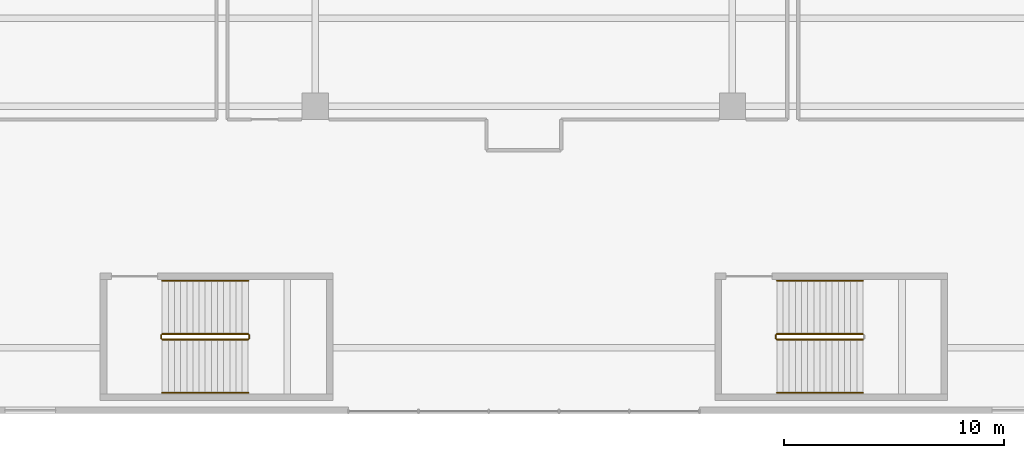
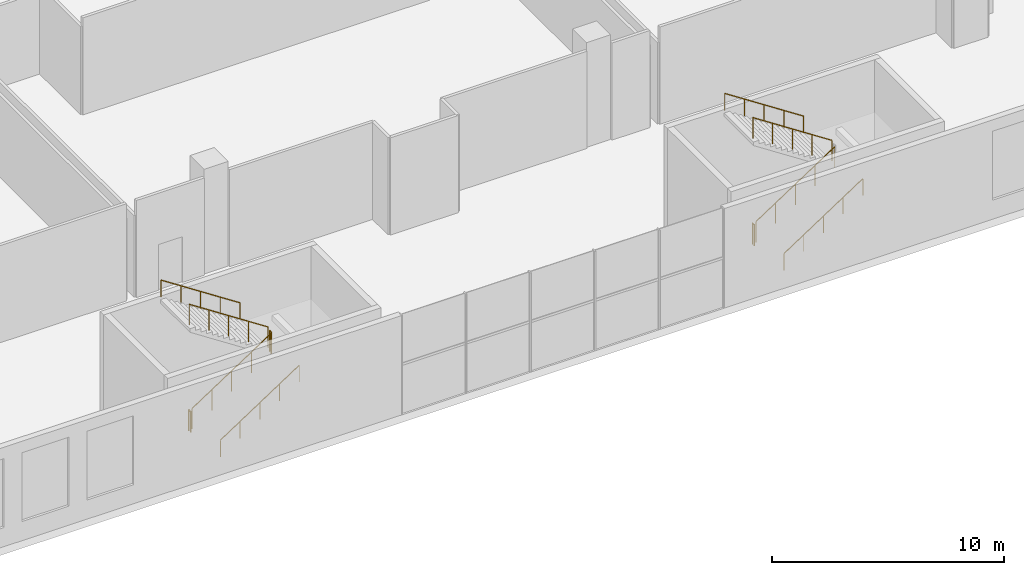
# One storey, part 19 of 26: 11 railings.
"""IFC4 building model written with IfcOpenShell, lengths in metres."""

from ifc_helpers import new_model, si_unit, direction, frame, origin, origin_2d, place, context, subcontext, project, spatial, circle, extrude, material, type_object, element, save


model = new_model("IFC4")

# Units and contexts
model_context = context("Model", 3, precision=1e-05, world=origin(), true_north=direction((0.0, 1.0)))
body_context = subcontext(model_context, "Body", "Model", "MODEL_VIEW")
ifc_project = project(units=[si_unit("LENGTHUNIT", "METRE"), si_unit("AREAUNIT", "SQUARE_METRE"), si_unit("VOLUMEUNIT", "CUBIC_METRE"), si_unit("PLANEANGLEUNIT", "RADIAN"), si_unit("MASSUNIT", "GRAM", prefix="KILO")], contexts=[model_context])

# Site, building, storey
site_placement = place(None, origin())
site = spatial("IfcSite", under=ifc_project, at=site_placement, CompositionType="ELEMENT")
building_placement = place(site_placement, origin())
building = spatial("IfcBuilding", under=site, at=building_placement, Name="Tel Ilan Convention Tower", CompositionType="ELEMENT")
storey_placement = place(building_placement, frame((0.0, 0.0, 37.5)))
storey = spatial("IfcBuildingStorey", under=building, at=storey_placement, Name="L05", CompositionType="ELEMENT", Elevation=37.5)

# Railings
ifc_material_1 = material(Name="Stainless Steel Grade 316", Category="steel")
railing_type_1 = type_object("IfcRailingType", Name="Stainless Steel Stair Guard 1100 mm", PredefinedType="GUARDRAIL", material=ifc_material_1)
railing_1_placement = place(storey_placement, frame((-16.47509765625, -78.625, 0.183349609375)))
element("IfcRailing", 1, at=railing_1_placement, inside=storey, type_object=railing_type_1, Name="L05 P2 stair guard 1", PredefinedType="GUARDRAIL", context=body_context, shape_type="SweptSolid", body=[
    extrude(circle(Radius=0.02392578125, at=origin_2d()), frame((0.0, 0.0, 1.076171875), z_axis=(0.836630751959, 0.0, 0.54776727255), x_axis=(0.0, 1.0, 0.0)), (0.0, 0.0, 1.0), 4.685546875),
    extrude(circle(Radius=0.02099609375, at=origin_2d()), origin(), (0.0, 0.0, 1.0), 1.052001953125),
    extrude(circle(Radius=0.02099609375, at=origin_2d()), frame((0.97998046875, 0.0, 0.6416015625)), (0.0, 0.0, 1.0), 1.052001953125),
    extrude(circle(Radius=0.02099609375, at=origin_2d()), frame((1.9599609375, 0.0, 1.283203125)), (0.0, 0.0, 1.0), 1.052001953125),
    extrude(circle(Radius=0.02099609375, at=origin_2d()), frame((2.940185546875, 0.0, 1.925048828125)), (0.0, 0.0, 1.0), 1.052001953125),
    extrude(circle(Radius=0.02099609375, at=origin_2d()), frame((3.920166015625, 0.0, 2.566650390625)), (0.0, 0.0, 1.0), 1.052001953125),
])
railing_2_placement = place(storey_placement, frame((-12.5048828125, -78.574951171875, 2.75)))
element("IfcRailing", 2, at=railing_2_placement, inside=storey, type_object=railing_type_1, Name="L05 P2 stair guard 2", PredefinedType="GUARDRAIL", context=body_context, shape_type="SweptSolid", body=[
    extrude(circle(Radius=0.02392578125, at=origin_2d()), frame((0.0, 0.0, 1.076171875), z_axis=(0.0, 1.0, 0.0), x_axis=(-1.0, 0.0, 0.0)), (0.0, 0.0, 1.0), 0.14990234375),
    extrude(circle(Radius=0.02099609375, at=origin_2d()), origin(), (0.0, 0.0, 1.0), 1.052001953125),
    extrude(circle(Radius=0.02099609375, at=origin_2d()), frame((0.0, 0.14990234375, 0.0)), (0.0, 0.0, 1.0), 1.052001953125),
])
railing_3_placement = place(storey_placement, frame((-12.554931640625, -78.375, 2.933349609375)))
element("IfcRailing", 3, at=railing_3_placement, inside=storey, type_object=railing_type_1, Name="L05 P2 stair guard 3", PredefinedType="GUARDRAIL", context=body_context, shape_type="SweptSolid", body=[
    extrude(circle(Radius=0.02392578125, at=origin_2d()), frame((0.0, 0.0, 1.076171875), z_axis=(-0.836630751959, 0.0, 0.54776727255), x_axis=(0.0, -1.0, 0.0)), (0.0, 0.0, 1.0), 4.685546875),
    extrude(circle(Radius=0.02099609375, at=origin_2d()), origin(), (0.0, 0.0, 1.0), 1.052001953125),
    extrude(circle(Radius=0.02099609375, at=origin_2d()), frame((-0.97998046875, 0.0, 0.6416015625)), (0.0, 0.0, 1.0), 1.052001953125),
    extrude(circle(Radius=0.02099609375, at=origin_2d()), frame((-1.9599609375, 0.0, 1.283203125)), (0.0, 0.0, 1.0), 1.052001953125),
    extrude(circle(Radius=0.02099609375, at=origin_2d()), frame((-2.940185546875, 0.0, 1.925048828125)), (0.0, 0.0, 1.0), 1.052001953125),
    extrude(circle(Radius=0.02099609375, at=origin_2d()), frame((-3.920166015625, 0.0, 2.566650390625)), (0.0, 0.0, 1.0), 1.052001953125),
])
railing_4_placement = place(storey_placement, frame((-16.52490234375, -78.574951171875, 0.0)))
element("IfcRailing", 4, at=railing_4_placement, inside=storey, type_object=railing_type_1, Name="L05 P2 stair guard 4", PredefinedType="GUARDRAIL", context=body_context, shape_type="SweptSolid", body=[
    extrude(circle(Radius=0.02392578125, at=origin_2d()), frame((0.0, 0.0, 1.076171875), z_axis=(0.0, 1.0, 0.0), x_axis=(-1.0, 0.0, 0.0)), (0.0, 0.0, 1.0), 0.14990234375),
    extrude(circle(Radius=0.02099609375, at=origin_2d()), origin(), (0.0, 0.0, 1.0), 1.052001953125),
    extrude(circle(Radius=0.02099609375, at=origin_2d()), frame((0.0, 0.14990234375, 0.0)), (0.0, 0.0, 1.0), 1.052001953125),
])
railing_5_placement = place(storey_placement, frame((11.52490234375, -78.625, 0.183349609375)))
element("IfcRailing", 5, at=railing_5_placement, inside=storey, type_object=railing_type_1, Name="L05 P3 stair guard 1", PredefinedType="GUARDRAIL", context=body_context, shape_type="SweptSolid", body=[
    extrude(circle(Radius=0.02392578125, at=origin_2d()), frame((0.0, 0.0, 1.076171875), z_axis=(0.836630751959, 0.0, 0.54776727255), x_axis=(0.0, 1.0, 0.0)), (0.0, 0.0, 1.0), 4.685546875),
    extrude(circle(Radius=0.02099609375, at=origin_2d()), origin(), (0.0, 0.0, 1.0), 1.052001953125),
    extrude(circle(Radius=0.02099609375, at=origin_2d()), frame((0.97998046875, 0.0, 0.6416015625)), (0.0, 0.0, 1.0), 1.052001953125),
    extrude(circle(Radius=0.02099609375, at=origin_2d()), frame((1.9599609375, 0.0, 1.283203125)), (0.0, 0.0, 1.0), 1.052001953125),
    extrude(circle(Radius=0.02099609375, at=origin_2d()), frame((2.940185546875, 0.0, 1.925048828125)), (0.0, 0.0, 1.0), 1.052001953125),
    extrude(circle(Radius=0.02099609375, at=origin_2d()), frame((3.920166015625, 0.0, 2.566650390625)), (0.0, 0.0, 1.0), 1.052001953125),
])
railing_6_placement = place(storey_placement, frame((15.445068359375, -78.375, 2.933349609375)))
element("IfcRailing", 6, at=railing_6_placement, inside=storey, type_object=railing_type_1, Name="L05 P3 stair guard 3", PredefinedType="GUARDRAIL", context=body_context, shape_type="SweptSolid", body=[
    extrude(circle(Radius=0.02392578125, at=origin_2d()), frame((0.0, 0.0, 1.076171875), z_axis=(-0.836630751959, 0.0, 0.54776727255), x_axis=(0.0, -1.0, 0.0)), (0.0, 0.0, 1.0), 4.685546875),
    extrude(circle(Radius=0.02099609375, at=origin_2d()), origin(), (0.0, 0.0, 1.0), 1.052001953125),
    extrude(circle(Radius=0.02099609375, at=origin_2d()), frame((-0.97998046875, 0.0, 0.6416015625)), (0.0, 0.0, 1.0), 1.052001953125),
    extrude(circle(Radius=0.02099609375, at=origin_2d()), frame((-1.9599609375, 0.0, 1.283203125)), (0.0, 0.0, 1.0), 1.052001953125),
    extrude(circle(Radius=0.02099609375, at=origin_2d()), frame((-2.940185546875, 0.0, 1.925048828125)), (0.0, 0.0, 1.0), 1.052001953125),
    extrude(circle(Radius=0.02099609375, at=origin_2d()), frame((-3.920166015625, 0.0, 2.566650390625)), (0.0, 0.0, 1.0), 1.052001953125),
])
railing_7_placement = place(storey_placement, frame((11.47509765625, -78.574951171875, 0.0)))
element("IfcRailing", 7, at=railing_7_placement, inside=storey, type_object=railing_type_1, Name="L05 P3 stair guard 4", PredefinedType="GUARDRAIL", context=body_context, shape_type="SweptSolid", body=[
    extrude(circle(Radius=0.02392578125, at=origin_2d()), frame((0.0, 0.0, 1.076171875), z_axis=(0.0, 1.0, 0.0), x_axis=(-1.0, 0.0, 0.0)), (0.0, 0.0, 1.0), 0.14990234375),
    extrude(circle(Radius=0.02099609375, at=origin_2d()), origin(), (0.0, 0.0, 1.0), 1.052001953125),
    extrude(circle(Radius=0.02099609375, at=origin_2d()), frame((0.0, 0.14990234375, 0.0)), (0.0, 0.0, 1.0), 1.052001953125),
])
ifc_material_2 = material(Name="Stainless Steel Grade 316", Category="steel")
railing_type_2 = type_object("IfcRailingType", Name="Stainless Steel Stair Handrail 900 mm", PredefinedType="HANDRAIL", material=ifc_material_2)
railing_8_placement = place(storey_placement, frame((-16.47509765625, -81.050048828125, 0.183349609375)))
element("IfcRailing", 8, at=railing_8_placement, inside=storey, type_object=railing_type_2, Name="L05 P2 stair handrail 1", PredefinedType="HANDRAIL", context=body_context, shape_type="SweptSolid", body=[
    extrude(circle(Radius=0.02392578125, at=origin_2d()), frame((0.0, 0.0, 0.8759765625), z_axis=(0.836630751959, 0.0, 0.54776727255), x_axis=(0.0, 1.0, 0.0)), (0.0, 0.0, 1.0), 4.685546875),
    extrude(circle(Radius=0.02099609375, at=origin_2d()), origin(), (0.0, 0.0, 1.0), 0.851806640625),
    extrude(circle(Radius=0.02099609375, at=origin_2d()), frame((0.97998046875, 0.0, 0.6416015625)), (0.0, 0.0, 1.0), 0.851806640625),
    extrude(circle(Radius=0.02099609375, at=origin_2d()), frame((1.9599609375, 0.0, 1.283203125)), (0.0, 0.0, 1.0), 0.851806640625),
    extrude(circle(Radius=0.02099609375, at=origin_2d()), frame((2.940185546875, 0.0, 1.925048828125)), (0.0, 0.0, 1.0), 0.851806640625),
    extrude(circle(Radius=0.02099609375, at=origin_2d()), frame((3.920166015625, 0.0, 2.566650390625)), (0.0, 0.0, 1.0), 0.851806640625),
])
railing_9_placement = place(storey_placement, frame((-12.554931640625, -75.949951171875, 2.933349609375)))
element("IfcRailing", 9, at=railing_9_placement, inside=storey, type_object=railing_type_2, Name="L05 P2 stair handrail 2", PredefinedType="HANDRAIL", context=body_context, shape_type="SweptSolid", body=[
    extrude(circle(Radius=0.02392578125, at=origin_2d()), frame((0.0, 0.0, 0.8759765625), z_axis=(-0.836630751959, 0.0, 0.54776727255), x_axis=(0.0, -1.0, 0.0)), (0.0, 0.0, 1.0), 4.685546875),
    extrude(circle(Radius=0.02099609375, at=origin_2d()), origin(), (0.0, 0.0, 1.0), 0.851806640625),
    extrude(circle(Radius=0.02099609375, at=origin_2d()), frame((-0.97998046875, 0.0, 0.6416015625)), (0.0, 0.0, 1.0), 0.851806640625),
    extrude(circle(Radius=0.02099609375, at=origin_2d()), frame((-1.9599609375, 0.0, 1.283203125)), (0.0, 0.0, 1.0), 0.851806640625),
    extrude(circle(Radius=0.02099609375, at=origin_2d()), frame((-2.940185546875, 0.0, 1.925048828125)), (0.0, 0.0, 1.0), 0.851806640625),
    extrude(circle(Radius=0.02099609375, at=origin_2d()), frame((-3.920166015625, 0.0, 2.566650390625)), (0.0, 0.0, 1.0), 0.851806640625),
])
railing_10_placement = place(storey_placement, frame((11.52490234375, -81.050048828125, 0.183349609375)))
element("IfcRailing", 10, at=railing_10_placement, inside=storey, type_object=railing_type_2, Name="L05 P3 stair handrail 1", PredefinedType="HANDRAIL", context=body_context, shape_type="SweptSolid", body=[
    extrude(circle(Radius=0.02392578125, at=origin_2d()), frame((0.0, 0.0, 0.8759765625), z_axis=(0.836630751959, 0.0, 0.54776727255), x_axis=(0.0, 1.0, 0.0)), (0.0, 0.0, 1.0), 4.685546875),
    extrude(circle(Radius=0.02099609375, at=origin_2d()), origin(), (0.0, 0.0, 1.0), 0.851806640625),
    extrude(circle(Radius=0.02099609375, at=origin_2d()), frame((0.97998046875, 0.0, 0.6416015625)), (0.0, 0.0, 1.0), 0.851806640625),
    extrude(circle(Radius=0.02099609375, at=origin_2d()), frame((1.9599609375, 0.0, 1.283203125)), (0.0, 0.0, 1.0), 0.851806640625),
    extrude(circle(Radius=0.02099609375, at=origin_2d()), frame((2.940185546875, 0.0, 1.925048828125)), (0.0, 0.0, 1.0), 0.851806640625),
    extrude(circle(Radius=0.02099609375, at=origin_2d()), frame((3.920166015625, 0.0, 2.566650390625)), (0.0, 0.0, 1.0), 0.851806640625),
])
railing_11_placement = place(storey_placement, frame((15.445068359375, -75.949951171875, 2.933349609375)))
element("IfcRailing", 11, at=railing_11_placement, inside=storey, type_object=railing_type_2, Name="L05 P3 stair handrail 2", PredefinedType="HANDRAIL", context=body_context, shape_type="SweptSolid", body=[
    extrude(circle(Radius=0.02392578125, at=origin_2d()), frame((0.0, 0.0, 0.8759765625), z_axis=(-0.836630751959, 0.0, 0.54776727255), x_axis=(0.0, -1.0, 0.0)), (0.0, 0.0, 1.0), 4.685546875),
    extrude(circle(Radius=0.02099609375, at=origin_2d()), origin(), (0.0, 0.0, 1.0), 0.851806640625),
    extrude(circle(Radius=0.02099609375, at=origin_2d()), frame((-0.97998046875, 0.0, 0.6416015625)), (0.0, 0.0, 1.0), 0.851806640625),
    extrude(circle(Radius=0.02099609375, at=origin_2d()), frame((-1.9599609375, 0.0, 1.283203125)), (0.0, 0.0, 1.0), 0.851806640625),
    extrude(circle(Radius=0.02099609375, at=origin_2d()), frame((-2.940185546875, 0.0, 1.925048828125)), (0.0, 0.0, 1.0), 0.851806640625),
    extrude(circle(Radius=0.02099609375, at=origin_2d()), frame((-3.920166015625, 0.0, 2.566650390625)), (0.0, 0.0, 1.0), 0.851806640625),
])

save(model, "model.ifc")
